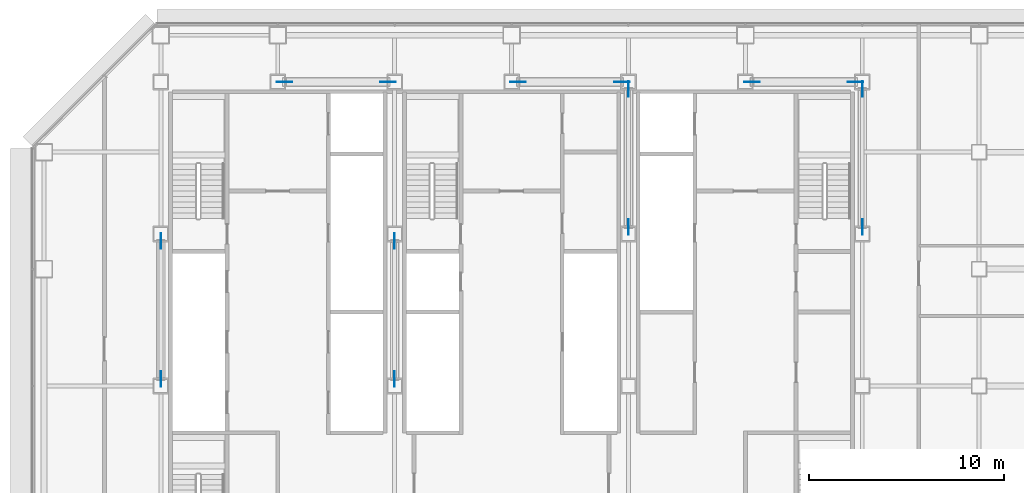
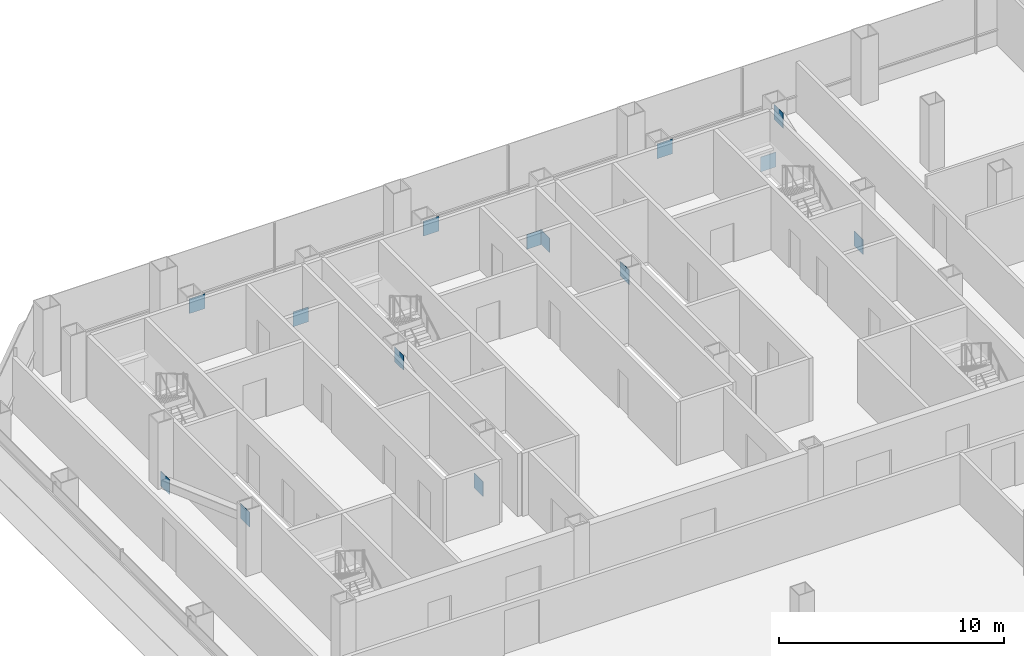
# One storey, part 24 of 28: 14 discrete accessories.
"""IFC4 building model written with IfcOpenShell, lengths in metres."""

from ifc_helpers import new_model, si_unit, direction, frame, origin, origin_2d, place, context, subcontext, project, spatial, rectangle, extrude, material, layer, layer_set, type_object, element, save


model = new_model("IFC4")

# Units and contexts
model_context = context("Model", 3, precision=1e-05, world=origin(), true_north=direction((0.0, 1.0)))
body_context = subcontext(model_context, "Body", "Model", "MODEL_VIEW")
ifc_project = project(units=[si_unit("LENGTHUNIT", "METRE"), si_unit("AREAUNIT", "SQUARE_METRE"), si_unit("VOLUMEUNIT", "CUBIC_METRE"), si_unit("PLANEANGLEUNIT", "RADIAN"), si_unit("MASSUNIT", "GRAM", prefix="KILO")], contexts=[model_context])

# Site, building, storey
site_placement = place(None, origin())
site = spatial("IfcSite", under=ifc_project, at=site_placement, CompositionType="ELEMENT")
building_placement = place(site_placement, origin())
building = spatial("IfcBuilding", under=site, at=building_placement, Name="Sorahane Residences", CompositionType="ELEMENT")
storey_placement = place(building_placement, frame((0.0, 0.0, 60.60009765625)))
storey = spatial("IfcBuildingStorey", under=building, at=storey_placement, Name="L11", CompositionType="ELEMENT", Elevation=60.60009765625)

# Discrete accessories
ifc_material = material(Name="Steel Q355B", Category="steel")
ifc_layer = layer(ifc_material, 0.02490234375)
ifc_layer_set = layer_set([ifc_layer], Name="Node plate Steel Q355B 25")
discrete_accessory_type = type_object("IfcDiscreteAccessoryType", Name="Node plate Steel Q355B 25", PredefinedType="BRACKET", material=ifc_layer_set)
for number, where, z_axis, x_axis, name in (
    (1, (6.0, 37.44580078125, -0.19140625), (0.0, 0.0, 1.0), (0.0, 1.0, 0.0), "Node plate L11 br"),
    (2, (6.0, 30.354248046875, 2.361328125), (0.0, 0.0, 1.0), (0.0, 1.0, 0.0), "Node plate L11 br"),
    (3, (18.0, 30.354248046875, -0.19140625), (0.0, 0.0, 1.0), (0.0, 1.0, 0.0), "Node plate L11 br"),
    (4, (18.0, 37.44580078125, 2.361328125), (0.0, 0.0, 1.0), (0.0, 1.0, 0.0), "Node plate L11 br"),
    (5, (30.0, 45.24560546875, -0.19140625), (0.0, 0.0, 1.0), (0.0, 1.0, 0.0), "Node plate L11 br"),
    (6, (30.0, 38.154296875, 2.361328125), (0.0, 0.0, 1.0), (0.0, 1.0, 0.0), "Node plate L11 br"),
    (7, (42.0, 38.154296875, -0.19140625), (0.0, 0.0, 1.0), (0.0, 1.0, 0.0), "Node plate L11 br"),
    (8, (42.0, 45.24560546875, 2.361328125), (0.0, 0.0, 1.0), (0.0, 1.0, 0.0), "Node plate L11 br"),
    (9, (17.658935546875, 45.60009765625, -0.20361328125), (0.0, 0.0, 1.0), (1.0, 0.0, 0.0), "Node plate L11 br"),
    (10, (29.658935546875, 45.60009765625, -0.20361328125), (0.0, 0.0, 1.0), (1.0, 0.0, 0.0), "Node plate L11 br"),
    (11, (41.658935546875, 45.60009765625, -0.20361328125), (0.0, 0.0, 1.0), (1.0, 0.0, 0.0), "Node plate L11 br"),
    (12, (12.341064453125, 45.60009765625, 2.37353515625), (0.0, 0.0, 1.0), (1.0, 0.0, 0.0), "Node plate L11 br"),
    (13, (24.341064453125, 45.60009765625, 2.37353515625), (0.0, 0.0, 1.0), (1.0, 0.0, 0.0), "Node plate L11 br"),
    (14, (36.341064453125, 45.60009765625, 2.37353515625), (0.0, 0.0, 1.0), (1.0, 0.0, 0.0), "Node plate L11 br"),
):
    element("IfcDiscreteAccessory", number, at=place(storey_placement, frame(where, z_axis=z_axis, x_axis=x_axis)), inside=storey, type_object=discrete_accessory_type, Name=name, PredefinedType="BRACKET", context=body_context, shape_type="SweptSolid", body=[
        extrude(rectangle(XDim=0.800048828125, YDim=0.02490234375, at=origin_2d()), origin(), (0.0, 0.0, 1.0), 0.800048828125),
    ])

save(model, "model.ifc")
